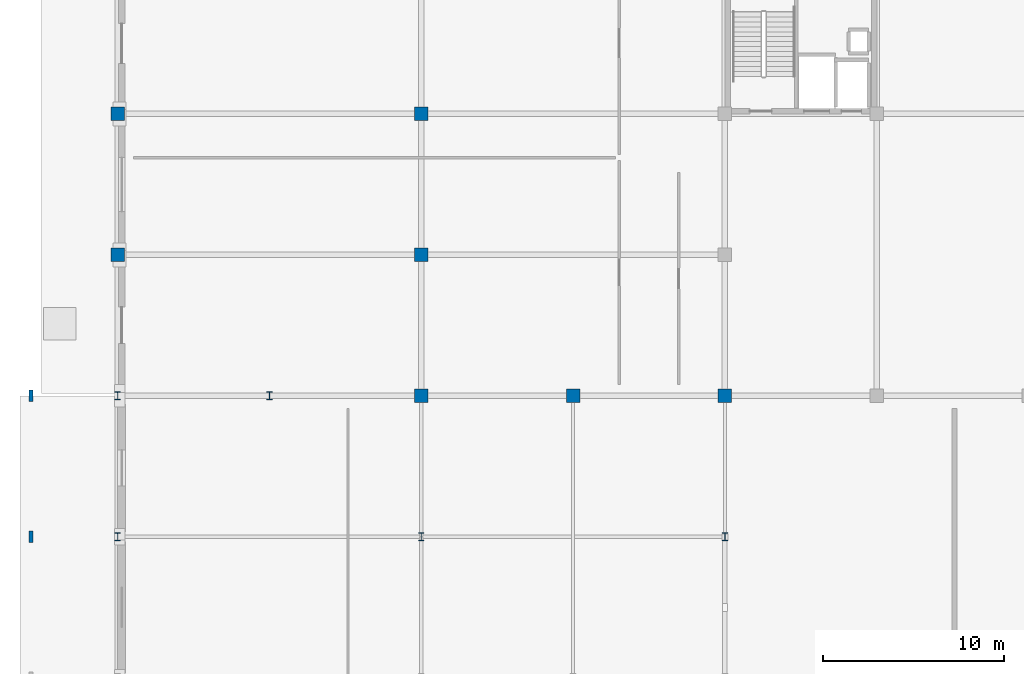
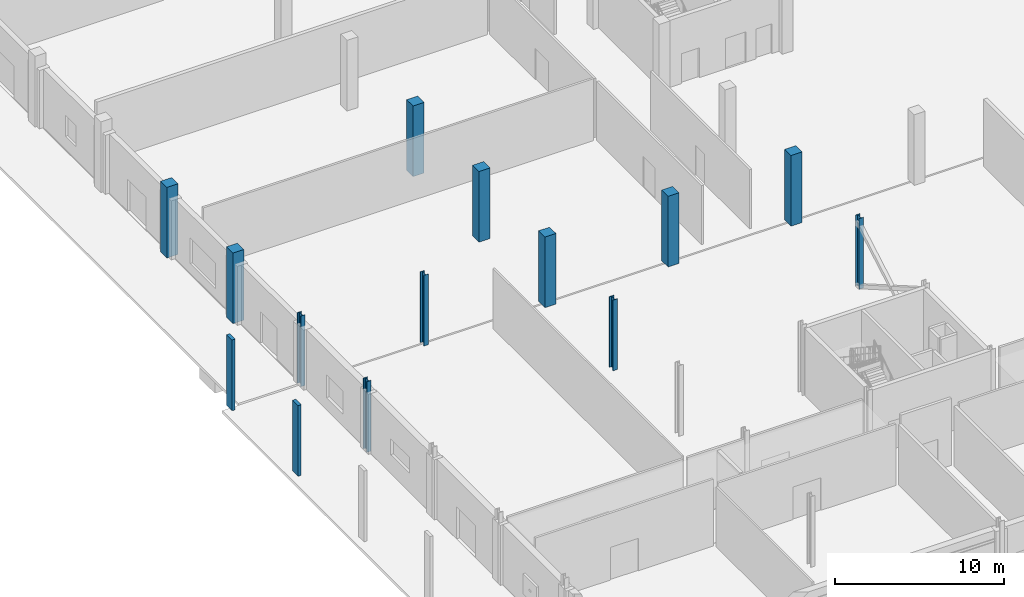
# One storey, part 4 of 80: 14 columns.
"""IFC4 building model written with IfcOpenShell, lengths in metres."""

from ifc_helpers import new_model, si_unit, direction, frame, origin, origin_2d, place, context, subcontext, project, spatial, rectangle, i_section, extrude, material, material_profile, profile_set, type_object, element, save


model = new_model("IFC4")

# Units and contexts
model_context = context("Model", 3, precision=1e-05, world=origin(), true_north=direction((0.0, 1.0)))
body_context = subcontext(model_context, "Body", "Model", "MODEL_VIEW")
ifc_project = project(units=[si_unit("LENGTHUNIT", "METRE"), si_unit("AREAUNIT", "SQUARE_METRE"), si_unit("VOLUMEUNIT", "CUBIC_METRE"), si_unit("PLANEANGLEUNIT", "RADIAN"), si_unit("MASSUNIT", "GRAM", prefix="KILO")], contexts=[model_context])

# Site, building, storey
site_placement = place(None, origin())
site = spatial("IfcSite", under=ifc_project, at=site_placement, CompositionType="ELEMENT")
building_placement = place(site_placement, origin())
building = spatial("IfcBuilding", under=site, at=building_placement, Name="Nabrawat Pavilion Hospital", CompositionType="ELEMENT")
storey_placement = place(building_placement, origin())
storey = spatial("IfcBuildingStorey", under=building, at=storey_placement, Name="L00", CompositionType="ELEMENT", Elevation=0.0)

# Columns
ifc_material_1 = material(Name="Precast concrete C40/50", Category="concrete")
ifc_material_profile_1 = material_profile(ifc_material_1, rectangle(XDim=0.219970703125, YDim=0.64990234375, at=origin_2d()), Name="PC 220x650")
ifc_profile_set_1 = profile_set([ifc_material_profile_1], Name="Precast concrete C40/50")
column_type_1 = type_object("IfcColumnType", Name="Ambulance Canopy Precast Pilaster 220x650", PredefinedType="PILASTER", material=ifc_profile_set_1)
for number, where, z_axis, x_axis, name in (
    (1, (-4.800048828125, 31.199951171875, 0.0), (0.0, 0.0, 1.0), (1.0, 0.0, 0.0), "L00 Colonnade Precast Pilaster PIL-W-E"),
    (2, (-4.800048828125, 39.0, 0.0), (0.0, 0.0, 1.0), (1.0, 0.0, 0.0), "L00 Colonnade Precast Pilaster PIL-W-F1"),
):
    element("IfcColumn", number, at=place(storey_placement, frame(where, z_axis=z_axis, x_axis=x_axis)), inside=storey, type_object=column_type_1, Name=name, PredefinedType="PILASTER", context=body_context, shape_type="SweptSolid", body=[
        extrude(rectangle(XDim=0.219970703125, YDim=0.64990234375, at=origin_2d()), origin(), (0.0, 0.0, 1.0), 5.10009765625),
    ])
ifc_material_2 = material(Name="Steel S355", Category="steel")
ifc_material_profile_2 = material_profile(ifc_material_2, i_section(OverallWidth=0.300048828125, OverallDepth=0.43994140625, WebThickness=0.011474609375, FlangeThickness=0.02099609375, FilletRadius=0.027099609375, at=origin_2d()), Name="HEA 450")
ifc_profile_set_2 = profile_set([ifc_material_profile_2], Name="Steel S355")
column_type_2 = type_object("IfcColumnType", Name="Emergency Wing Steel Column HEA 450", PredefinedType="COLUMN", material=ifc_profile_set_2)
for number, where, z_axis, x_axis, name in (
    (3, (0.0, 31.199951171875, 0.0), (0.0, 0.0, 1.0), (1.0, 0.0, 0.0), "L00 Structural Column G-1-E"),
    (4, (0.0, 39.0, 0.0), (0.0, 0.0, 1.0), (1.0, 0.0, 0.0), "L00 Structural Column G-1-F1"),
    (5, (8.39990234375, 39.0, 0.0), (0.0, 0.0, 1.0), (1.0, 0.0, 0.0), "L00 Structural Column G-2-F1"),
    (6, (16.800048828125, 31.199951171875, 0.0), (0.0, 0.0, 1.0), (1.0, 0.0, 0.0), "L00 Structural Column G-3-E"),
    (7, (33.60009765625, 31.199951171875, 0.0), (0.0, 0.0, 1.0), (1.0, 0.0, 0.0), "L00 Structural Column G-5-E"),
):
    element("IfcColumn", number, at=place(storey_placement, frame(where, z_axis=z_axis, x_axis=x_axis)), inside=storey, type_object=column_type_2, Name=name, PredefinedType="COLUMN", context=body_context, shape_type="SweptSolid", body=[
        extrude(i_section(OverallWidth=0.300048828125, OverallDepth=0.43994140625, WebThickness=0.011474609375, FlangeThickness=0.02099609375, FilletRadius=0.027099609375, at=origin_2d()), origin(), (0.0, 0.0, 1.0), 5.10009765625),
    ])
ifc_material_3 = material(Name="Concrete C40/50", Category="concrete")
ifc_material_profile_3 = material_profile(ifc_material_3, rectangle(XDim=0.75, YDim=0.75, at=origin_2d()), Name="RC 750x750")
ifc_profile_set_3 = profile_set([ifc_material_profile_3], Name="Concrete C40/50")
column_type_3 = type_object("IfcColumnType", Name="Surgical Suite RC Column 750x750", PredefinedType="COLUMN", material=ifc_profile_set_3)
for number, where, z_axis, x_axis, name in (
    (8, (0.0, 46.800048828125, 0.0), (0.0, 0.0, 1.0), (1.0, 0.0, 0.0), "L00 Structural Column G-1-G"),
    (9, (0.0, 54.60009765625, 0.0), (0.0, 0.0, 1.0), (1.0, 0.0, 0.0), "L00 Structural Column G-1-H"),
    (10, (16.800048828125, 39.0, 0.0), (0.0, 0.0, 1.0), (1.0, 0.0, 0.0), "L00 Structural Column G-3-F1"),
    (11, (16.800048828125, 46.800048828125, 0.0), (0.0, 0.0, 1.0), (1.0, 0.0, 0.0), "L00 Structural Column G-3-G"),
    (12, (16.800048828125, 54.60009765625, 0.0), (0.0, 0.0, 1.0), (1.0, 0.0, 0.0), "L00 Structural Column G-3-H"),
    (13, (25.199951171875, 39.0, 0.0), (0.0, 0.0, 1.0), (1.0, 0.0, 0.0), "L00 Structural Column G-4-F1"),
    (14, (33.60009765625, 39.0, 0.0), (0.0, 0.0, 1.0), (1.0, 0.0, 0.0), "L00 Structural Column G-5-F1"),
):
    element("IfcColumn", number, at=place(storey_placement, frame(where, z_axis=z_axis, x_axis=x_axis)), inside=storey, type_object=column_type_3, Name=name, PredefinedType="COLUMN", context=body_context, shape_type="SweptSolid", body=[
        extrude(rectangle(XDim=0.75, YDim=0.75, at=origin_2d()), origin(), (0.0, 0.0, 1.0), 5.10009765625),
    ])

save(model, "model.ifc")
